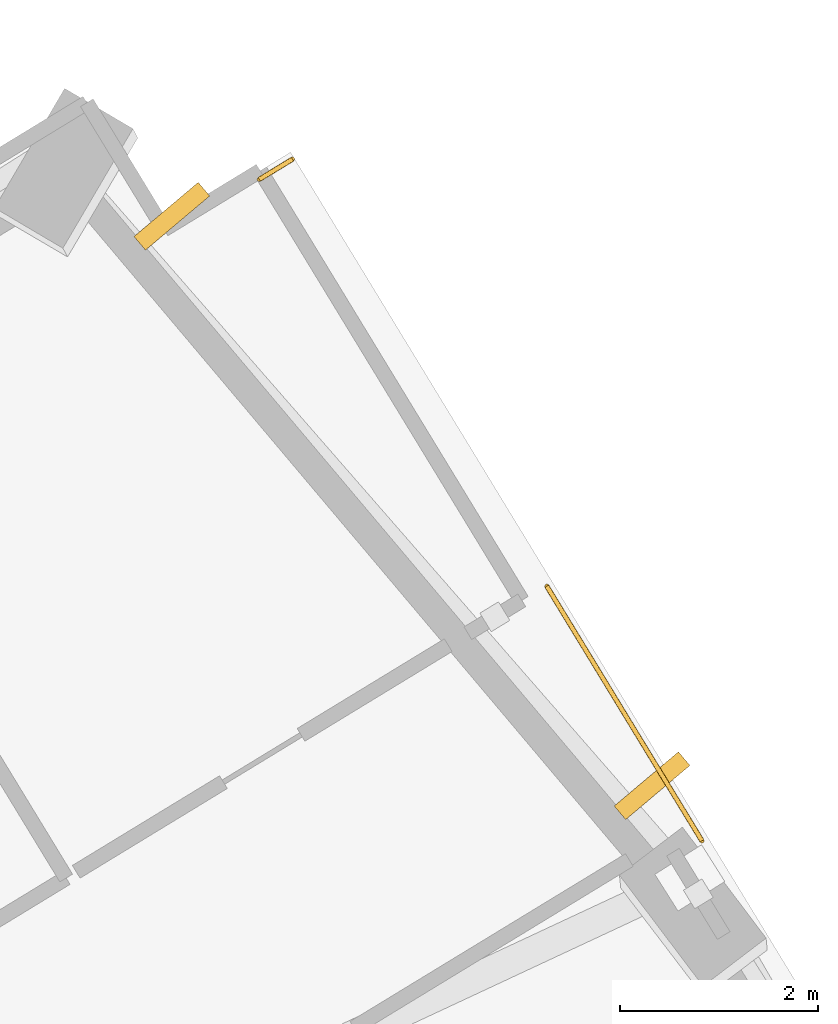
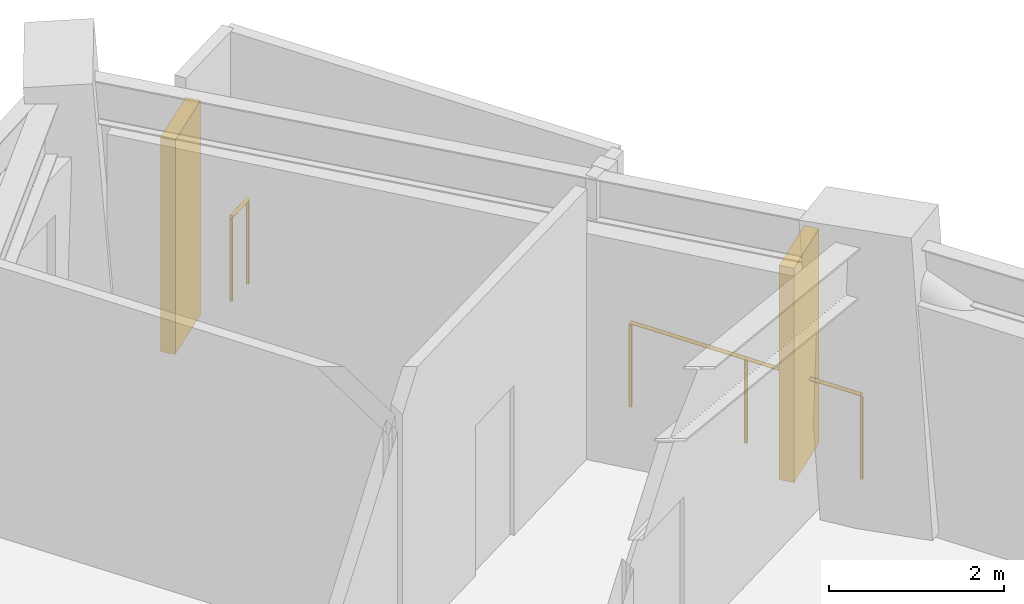
# One storey, part 14 of 14: 2 railings, 2 shading devices.
"""IFC4 building model written with IfcOpenShell, lengths in metres."""

from ifc_helpers import new_model, si_unit, direction, frame, origin, origin_2d, place, context, subcontext, project, spatial, rectangle, circle, extrude, material, layer, layer_set, type_object, element, save


model = new_model("IFC4")

# Units and contexts
model_context = context("Model", 3, precision=1e-05, world=origin(), true_north=direction((0.0, 1.0)))
body_context = subcontext(model_context, "Body", "Model", "MODEL_VIEW")
ifc_project = project(units=[si_unit("LENGTHUNIT", "METRE"), si_unit("AREAUNIT", "SQUARE_METRE"), si_unit("VOLUMEUNIT", "CUBIC_METRE"), si_unit("PLANEANGLEUNIT", "RADIAN"), si_unit("MASSUNIT", "GRAM", prefix="KILO")], contexts=[model_context])

# Site, building, storey
site_placement = place(None, origin())
site = spatial("IfcSite", under=ifc_project, at=site_placement, CompositionType="ELEMENT")
building_placement = place(site_placement, origin())
building = spatial("IfcBuilding", under=site, at=building_placement, Name="Gaonmaruhae Medical Tower", CompositionType="ELEMENT")
storey_placement = place(building_placement, frame((0.0, 0.0, 157.800048828125)))
storey = spatial("IfcBuildingStorey", under=building, at=storey_placement, Name="L37", CompositionType="ELEMENT", Elevation=157.800048828125)

# Railings
ifc_material_1 = material(Name="Stainless steel 316L and laminated safety glass", Category="steel")
ifc_layer = layer(ifc_material_1, 0.080078125)
ifc_layer_set = layer_set([ifc_layer], Name="Stainless steel 316L and laminated safety glass")
railing_type = type_object("IfcRailingType", Name="GD-120 Outdoor Terrace Safety Glass & Steel Balustrade", PredefinedType="BALUSTRADE", material=ifc_layer_set)
railing_1_placement = place(storey_placement, frame((54.29296875, 34.631103515625, 0.0)))
element("IfcRailing", 1, at=railing_1_placement, inside=storey, type_object=railing_type, Name="L37 Perimeter Slab Edge Safety Balustrade 01", PredefinedType="BALUSTRADE", context=body_context, shape_type="SweptSolid", body=[
    extrude(circle(Radius=0.02392578125, at=origin_2d()), frame((0.0, 0.0, 1.17578125), z_axis=(0.854078674243, 0.520143843761, 0.0), x_axis=(-0.520143843761, 0.854078674243, 0.0)), (0.0, 0.0, 1.0), 0.393310546875),
    extrude(circle(Radius=0.02099609375, at=origin_2d()), origin(), (0.0, 0.0, 1.0), 1.15185546875),
    extrude(circle(Radius=0.02099609375, at=origin_2d()), frame((0.3359375, 0.20458984375, 0.0)), (0.0, 0.0, 1.0), 1.15185546875),
])
railing_2_placement = place(storey_placement, frame((57.202392578125, 30.515380859375, 0.0)))
element("IfcRailing", 2, at=railing_2_placement, inside=storey, type_object=railing_type, Name="L37 Perimeter Slab Edge Safety Balustrade 02", PredefinedType="BALUSTRADE", context=body_context, shape_type="SweptSolid", body=[
    extrude(circle(Radius=0.02392578125, at=origin_2d()), frame((0.0, 0.0, 1.17578125), z_axis=(0.520290882107, -0.853989108827, 0.0), x_axis=(0.853989108827, 0.520290882107, 0.0)), (0.0, 0.0, 1.0), 3.01708984375),
    extrude(circle(Radius=0.02099609375, at=origin_2d()), origin(), (0.0, 0.0, 1.0), 1.15185546875),
    extrude(circle(Radius=0.02099609375, at=origin_2d()), frame((0.784912109375, -1.288330078125, 0.0)), (0.0, 0.0, 1.0), 1.15185546875),
    extrude(circle(Radius=0.02099609375, at=origin_2d()), frame((1.56982421875, -2.57666015625, 0.0)), (0.0, 0.0, 1.0), 1.15185546875),
])

# Shading devices
ifc_material_2 = material(Name="Pigmented coral precast concrete C45/55", Category="concrete")
shading_device_type = type_object("IfcShadingDeviceType", Name="SD-FIN1 Tower Vertical Coral Precast Shading Fin", PredefinedType="USERDEFINED", material=ifc_material_2)
for number, where, z_axis, x_axis, name in (
    (3, (53.408447265625, 34.25830078125, 0.08251953125), (0.0, 0.0, 1.0), (0.644657488628, -0.764471531423, 0.0), "L37 Vertical Coral Precast Shading Fin E02"),
    (4, (58.267578125, 28.495849609375, 0.08251953125), (0.0, 0.0, 1.0), (0.644657488628, -0.764471531423, 0.0), "L37 Vertical Coral Precast Shading Fin E02B"),
):
    element("IfcShadingDevice", number, at=place(storey_placement, frame(where, z_axis=z_axis, x_axis=x_axis)), inside=storey, type_object=shading_device_type, Name=name, ObjectType="FIN", PredefinedType="USERDEFINED", context=body_context, shape_type="SweptSolid", body=[
        extrude(rectangle(XDim=0.179931640625, YDim=0.85009765625, at=origin_2d()), origin(), (0.0, 0.0, 1.0), 3.0),
    ])

save(model, "model.ifc")
